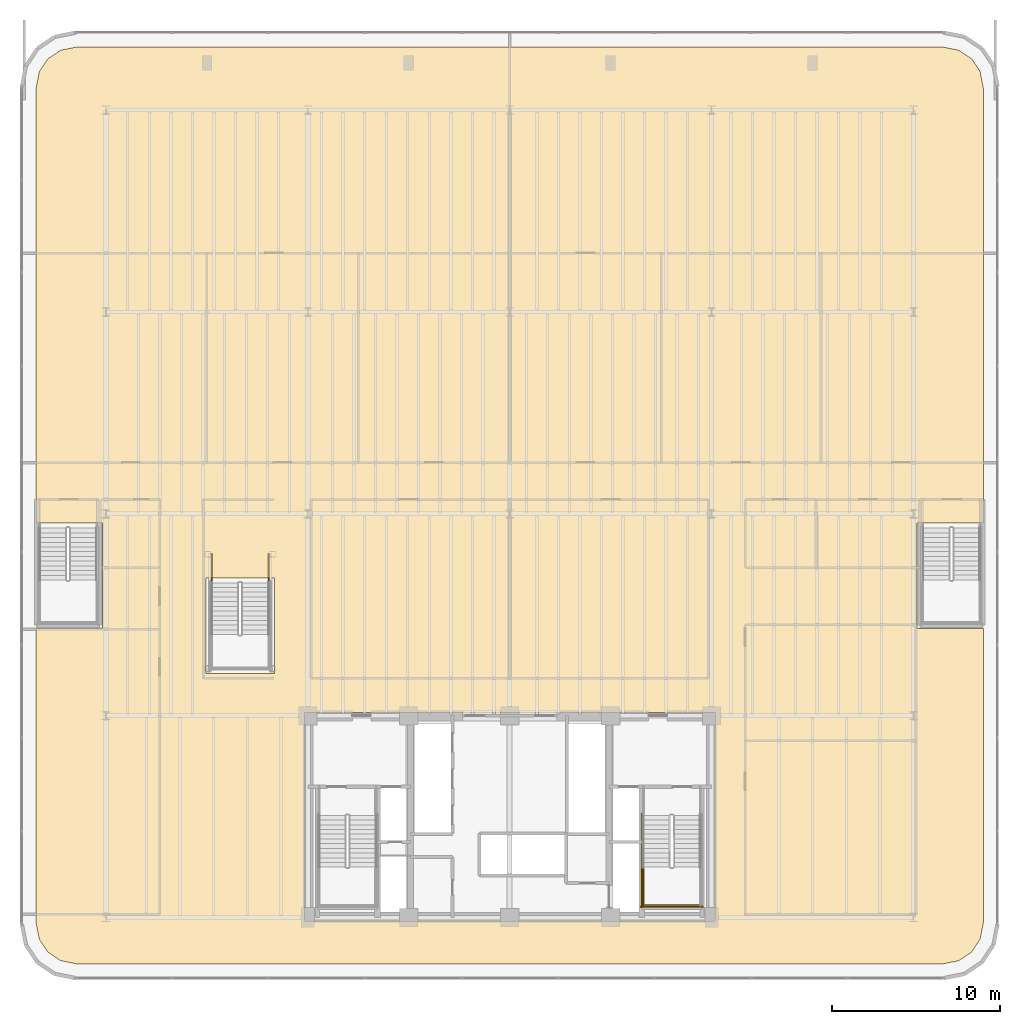
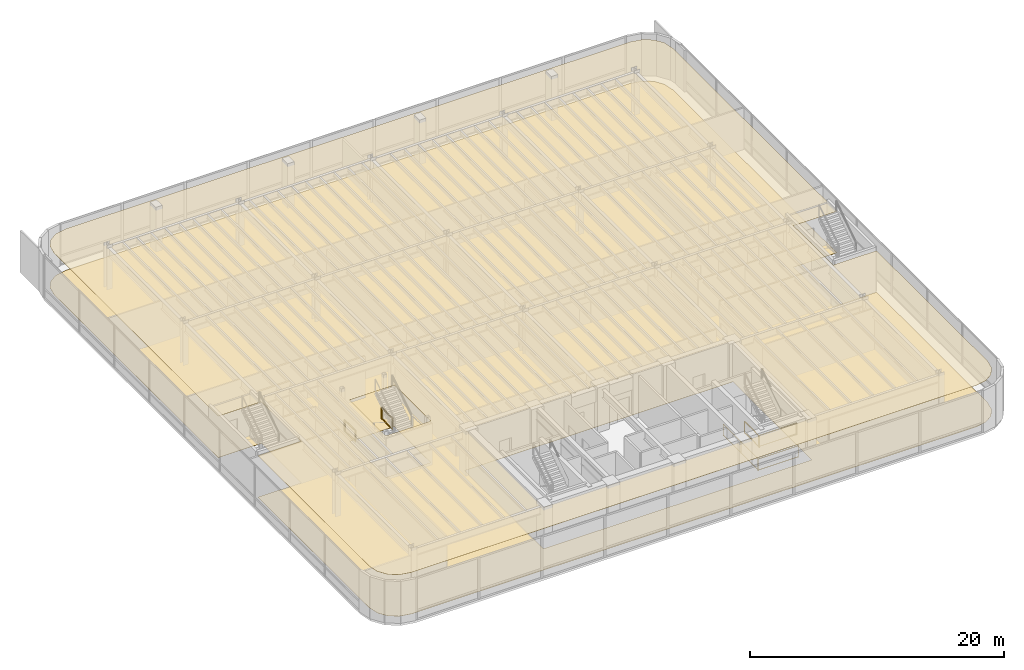
# One storey, part 17 of 18: 6 railings, 2 coverings.
"""IFC4 building model written with IfcOpenShell, lengths in metres."""

from ifc_helpers import new_model, si_unit, direction, frame, origin, origin_2d, place, context, subcontext, project, spatial, polyline, rectangle, outline, extrude, material, layer, layer_set, type_object, element, save


model = new_model("IFC4")

# Units and contexts
model_context = context("Model", 3, precision=1e-05, world=origin(), true_north=direction((0.0, 1.0)))
body_context = subcontext(model_context, "Body", "Model", "MODEL_VIEW")
ifc_project = project(units=[si_unit("LENGTHUNIT", "METRE"), si_unit("AREAUNIT", "SQUARE_METRE"), si_unit("VOLUMEUNIT", "CUBIC_METRE"), si_unit("PLANEANGLEUNIT", "RADIAN"), si_unit("MASSUNIT", "GRAM", prefix="KILO")], contexts=[model_context])

# Site, building, storey
site_placement = place(None, origin())
site = spatial("IfcSite", under=ifc_project, at=site_placement, CompositionType="ELEMENT")
building_placement = place(site_placement, origin())
building = spatial("IfcBuilding", under=site, at=building_placement, Name="Brelvock Crest Care Tower", CompositionType="ELEMENT")
storey_placement = place(building_placement, frame((0.0, 0.0, 9.719970703125)))
storey = spatial("IfcBuildingStorey", under=building, at=storey_placement, Name="L02", CompositionType="ELEMENT", Elevation=9.719970703125)

# Coverings
ifc_material_1 = material(Name="Mineral Fibre Acoustic Ceiling Tile", Category="gypsum")
ifc_layer_1 = layer(ifc_material_1, 0.02490234375, Name="COV-CLG1")
ifc_layer_set_1 = layer_set([ifc_layer_1], Name="Mineral Fibre Acoustic Ceiling Tile")
covering_type_1 = type_object("IfcCoveringType", Name="COV-CLG1", PredefinedType="CEILING", material=ifc_layer_set_1)
covering_1_placement = place(storey_placement, frame((0.0, 0.0, 3.985107421875)))
element("IfcCovering", 1, at=covering_1_placement, inside=storey, type_object=covering_type_1, Name="L02 Acoustic Suspended Ceiling 1", PredefinedType="CEILING", context=body_context, shape_type="SweptSolid", body=[
    extrude(outline(polyline([(61.71630859375, 3.25), (62.69287109375, 3.4443359375), (63.449951171875, 3.9501953125), (63.955810546875, 4.70703125), (64.14990234375, 5.68359375), (64.14990234375, 23.199951171875), (60.2099609375, 23.199951171875), (60.2099609375, 29.449951171875), (64.14990234375, 29.449951171875), (64.14990234375, 55.31640625), (63.955810546875, 56.29296875), (63.449951171875, 57.0498046875), (62.69287109375, 57.5556640625), (61.71630859375, 57.75), (10.28369140625, 57.75), (9.30712890625, 57.5556640625), (8.550048828125, 57.0498046875), (8.044189453125, 56.29296875), (7.85009765625, 55.31640625), (7.85009765625, 29.449951171875), (11.7900390625, 29.449951171875), (11.7900390625, 23.199951171875), (7.85009765625, 23.199951171875), (7.85009765625, 5.68359375), (8.044189453125, 4.70703125), (8.550048828125, 3.9501953125), (9.30712890625, 3.4443359375), (10.28369140625, 3.25), (61.71630859375, 3.25)]), holes=[polyline([(22.02001953125, 20.5), (22.02001953125, 26.199951171875), (17.93994140625, 26.199951171875), (17.93994140625, 20.5), (22.02001953125, 20.5)]), polyline([(48.199951171875, 5.800048828125), (48.199951171875, 18.199951171875), (23.800048828125, 18.199951171875), (23.800048828125, 5.800048828125), (48.199951171875, 5.800048828125)])]), origin(), (0.0, 0.0, 1.0), 0.02490234375),
])
ifc_material_2 = material(Name="Slip-Resistant Acoustic Vinyl Flooring", Category="finish")
ifc_layer_2 = layer(ifc_material_2, 0.014892578125, Name="COV-FLR1")
ifc_layer_set_2 = layer_set([ifc_layer_2], Name="Slip-Resistant Acoustic Vinyl Flooring")
covering_type_2 = type_object("IfcCoveringType", Name="COV-FLR1", PredefinedType="FLOORING", material=ifc_layer_set_2)
covering_2_placement = place(storey_placement, origin())
element("IfcCovering", 2, at=covering_2_placement, inside=storey, type_object=covering_type_2, Name="L02 Slip-Resistant Acoustic Flooring 1", PredefinedType="FLOORING", context=body_context, shape_type="SweptSolid", body=[
    extrude(outline(polyline([(61.71630859375, 3.25), (62.69287109375, 3.4443359375), (63.449951171875, 3.9501953125), (63.955810546875, 4.70703125), (64.14990234375, 5.68359375), (64.14990234375, 23.199951171875), (60.2099609375, 23.199951171875), (60.2099609375, 29.449951171875), (64.14990234375, 29.449951171875), (64.14990234375, 55.31640625), (63.955810546875, 56.29296875), (63.449951171875, 57.0498046875), (62.69287109375, 57.5556640625), (61.71630859375, 57.75), (10.28369140625, 57.75), (9.30712890625, 57.5556640625), (8.550048828125, 57.0498046875), (8.044189453125, 56.29296875), (7.85009765625, 55.31640625), (7.85009765625, 29.449951171875), (11.7900390625, 29.449951171875), (11.7900390625, 23.199951171875), (7.85009765625, 23.199951171875), (7.85009765625, 5.68359375), (8.044189453125, 4.70703125), (8.550048828125, 3.9501953125), (9.30712890625, 3.4443359375), (10.28369140625, 3.25), (61.71630859375, 3.25)]), holes=[polyline([(22.02001953125, 20.5), (22.02001953125, 26.199951171875), (17.93994140625, 26.199951171875), (17.93994140625, 20.5), (22.02001953125, 20.5)]), polyline([(48.199951171875, 5.800048828125), (48.199951171875, 18.199951171875), (23.800048828125, 18.199951171875), (23.800048828125, 5.800048828125), (48.199951171875, 5.800048828125)])]), origin(), (0.0, 0.0, 1.0), 0.01513671875),
])

# Railings
ifc_material_3 = material(Name="Steel Grade 350", Category="steel")
ifc_layer_3 = layer(ifc_material_3, 0.050048828125, Name="RL-STG1")
ifc_layer_set_3 = layer_set([ifc_layer_3], Name="Steel Grade 350")
railing_type = type_object("IfcRailingType", Name="RL-STG1", PredefinedType="GUARDRAIL", material=ifc_layer_set_3)
railing_1_placement = place(storey_placement, frame((43.93994140625, 9.0, 2.159912109375)))
element("IfcRailing", 3, at=railing_1_placement, inside=storey, type_object=railing_type, Name="L02 ST-2 stair guard 3", PredefinedType="GUARDRAIL", context=body_context, shape_type="SweptSolid", body=[
    extrude(rectangle(XDim=0.048095703125, YDim=0.048095703125, at=origin_2d()), frame((0.0, -0.001953125, 1.11572265625), z_axis=(0.0, -1.0, 0.0), x_axis=(1.0, 0.0, 0.0)), (0.0, 0.0, 1.0), 2.296142578125),
    extrude(rectangle(XDim=0.048095703125, YDim=0.048095703125, at=origin_2d()), frame((0.0, -0.001953125, 0.054931640625), z_axis=(0.0, -1.0, 0.0), x_axis=(1.0, 0.0, 0.0)), (0.0, 0.0, 1.0), 2.296142578125),
    extrude(rectangle(XDim=0.0419921875, YDim=0.0419921875, at=origin_2d()), origin(), (0.0, 0.0, 1.0), 1.08984375),
    extrude(rectangle(XDim=0.0419921875, YDim=0.0419921875, at=origin_2d()), frame((0.0, -2.300048828125, 0.0)), (0.0, 0.0, 1.0), 1.08984375),
])
railing_2_placement = place(storey_placement, frame((43.889892578125, 6.75, 2.159912109375)))
element("IfcRailing", 4, at=railing_2_placement, inside=storey, type_object=railing_type, Name="L02 ST-2 stair guard 5", PredefinedType="GUARDRAIL", context=body_context, shape_type="SweptSolid", body=[
    extrude(rectangle(XDim=0.048095703125, YDim=0.048095703125, at=origin_2d()), frame((0.001953125, 0.0, 1.11572265625), z_axis=(1.0, 0.0, 0.0), x_axis=(0.0, 1.0, 0.0)), (0.0, 0.0, 1.0), 3.476318359375),
    extrude(rectangle(XDim=0.048095703125, YDim=0.048095703125, at=origin_2d()), frame((0.001953125, 0.0, 0.054931640625), z_axis=(1.0, 0.0, 0.0), x_axis=(0.0, 1.0, 0.0)), (0.0, 0.0, 1.0), 3.476318359375),
    extrude(rectangle(XDim=0.0419921875, YDim=0.0419921875, at=origin_2d()), origin(), (0.0, 0.0, 1.0), 1.08984375),
    extrude(rectangle(XDim=0.0419921875, YDim=0.0419921875, at=origin_2d()), frame((3.480224609375, 0.0, 0.0)), (0.0, 0.0, 1.0), 1.08984375),
])
railing_3_placement = place(storey_placement, frame((43.840087890625, 12.179931640625, 0.0)))
element("IfcRailing", 5, at=railing_3_placement, inside=storey, type_object=railing_type, Name="L02 ST-2 stair guard 10", PredefinedType="GUARDRAIL", context=body_context, shape_type="SweptSolid", body=[
    extrude(rectangle(XDim=0.048095703125, YDim=0.048095703125, at=origin_2d()), frame((0.0, -0.001953125, 1.11572265625), z_axis=(0.0, -1.0, 0.0), x_axis=(1.0, 0.0, 0.0)), (0.0, 0.0, 1.0), 5.575927734375),
    extrude(rectangle(XDim=0.048095703125, YDim=0.048095703125, at=origin_2d()), frame((0.0, -0.001953125, 0.054931640625), z_axis=(0.0, -1.0, 0.0), x_axis=(1.0, 0.0, 0.0)), (0.0, 0.0, 1.0), 5.575927734375),
    extrude(rectangle(XDim=0.0419921875, YDim=0.0419921875, at=origin_2d()), origin(), (0.0, 0.0, 1.0), 1.08984375),
    extrude(rectangle(XDim=0.0419921875, YDim=0.0419921875, at=origin_2d()), frame((0.0, -2.7900390625, 0.0)), (0.0, 0.0, 1.0), 1.08984375),
    extrude(rectangle(XDim=0.0419921875, YDim=0.0419921875, at=origin_2d()), frame((0.0, -5.579833984375, 0.0)), (0.0, 0.0, 1.0), 1.08984375),
])
railing_4_placement = place(storey_placement, frame((43.7900390625, 6.64990234375, 0.0)))
element("IfcRailing", 6, at=railing_4_placement, inside=storey, type_object=railing_type, Name="L02 ST-2 stair guard 12", PredefinedType="GUARDRAIL", context=body_context, shape_type="SweptSolid", body=[
    extrude(rectangle(XDim=0.048095703125, YDim=0.048095703125, at=origin_2d()), frame((0.001953125, 0.0, 1.11572265625), z_axis=(1.0, 0.0, 0.0), x_axis=(0.0, 1.0, 0.0)), (0.0, 0.0, 1.0), 3.676025390625),
    extrude(rectangle(XDim=0.048095703125, YDim=0.048095703125, at=origin_2d()), frame((0.001953125, 0.0, 0.054931640625), z_axis=(1.0, 0.0, 0.0), x_axis=(0.0, 1.0, 0.0)), (0.0, 0.0, 1.0), 3.676025390625),
    extrude(rectangle(XDim=0.0419921875, YDim=0.0419921875, at=origin_2d()), origin(), (0.0, 0.0, 1.0), 1.08984375),
    extrude(rectangle(XDim=0.0419921875, YDim=0.0419921875, at=origin_2d()), frame((3.679931640625, 0.0, 0.0)), (0.0, 0.0, 1.0), 1.08984375),
])
for number, where, name in (
    (7, (18.2900390625, 27.60009765625, 0.0), "L02 ST-5 stair guard 8"),
    (8, (21.669921875, 27.60009765625, 0.0), "L02 ST-5 stair guard 9"),
):
    element("IfcRailing", number, at=place(storey_placement, frame(where)), inside=storey, type_object=railing_type, Name=name, PredefinedType="GUARDRAIL", context=body_context, shape_type="SweptSolid", body=[
        extrude(rectangle(XDim=0.048095703125, YDim=0.048095703125, at=origin_2d()), frame((0.0, -0.001953125, 1.11572265625), z_axis=(0.0, -1.0, 0.0), x_axis=(1.0, 0.0, 0.0)), (0.0, 0.0, 1.0), 1.6962890625),
        extrude(rectangle(XDim=0.048095703125, YDim=0.048095703125, at=origin_2d()), frame((0.0, -0.001953125, 0.054931640625), z_axis=(0.0, -1.0, 0.0), x_axis=(1.0, 0.0, 0.0)), (0.0, 0.0, 1.0), 1.6962890625),
        extrude(rectangle(XDim=0.0419921875, YDim=0.0419921875, at=origin_2d()), origin(), (0.0, 0.0, 1.0), 1.08984375),
        extrude(rectangle(XDim=0.0419921875, YDim=0.0419921875, at=origin_2d()), frame((0.0, -1.7001953125, 0.0)), (0.0, 0.0, 1.0), 1.08984375),
    ])

save(model, "model.ifc")
